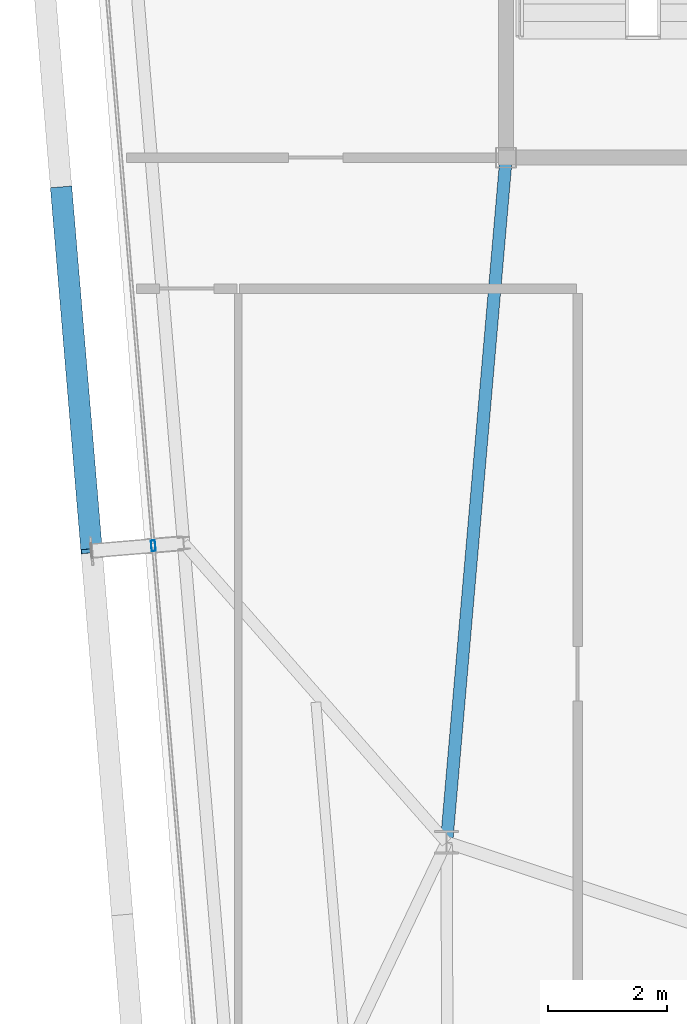
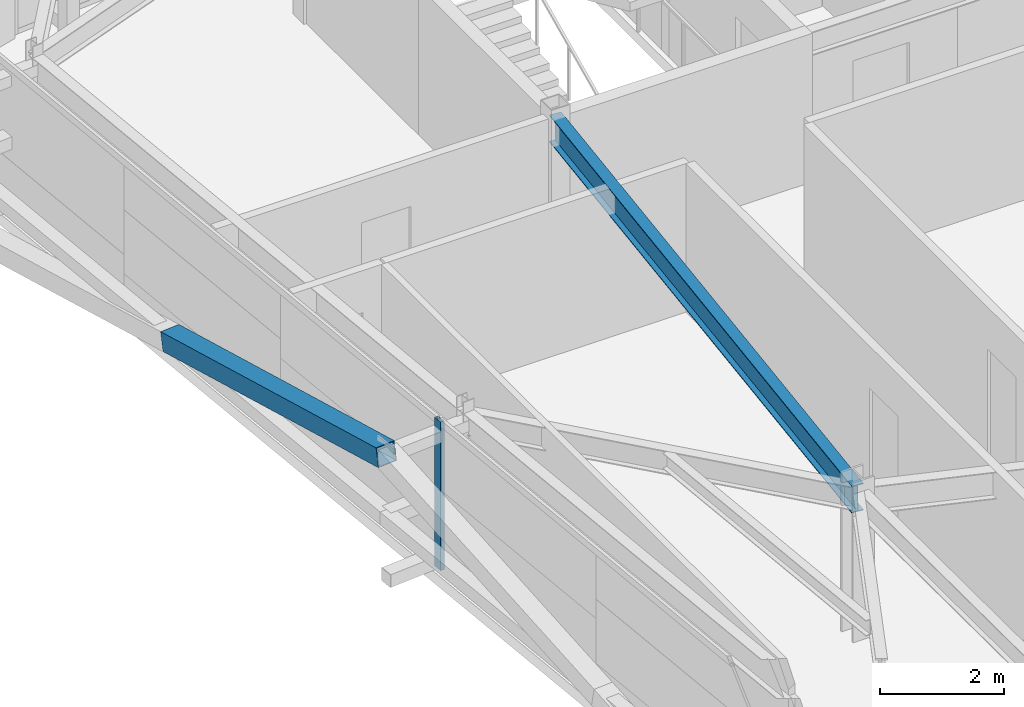
# One storey, part 12 of 37: 2 members, 1 beam, 1 element without a shape of its own.
"""IFC4 building model written with IfcOpenShell, lengths in metres."""

from ifc_helpers import new_model, si_unit, direction, frame, origin, origin_2d, place, context, subcontext, project, spatial, hollow_rectangle, i_section, extrude, source, transform, mapped, material, layer, layer_set, material_profile, profile_set, type_object, element, aggregate, save


model = new_model("IFC4")

# Units and contexts
model_context = context("Model", 3, precision=1e-05, world=origin(), true_north=direction((0.0, 1.0)))
body_context = subcontext(model_context, "Body", "Model", "MODEL_VIEW")
ifc_project = project(units=[si_unit("LENGTHUNIT", "METRE"), si_unit("AREAUNIT", "SQUARE_METRE"), si_unit("VOLUMEUNIT", "CUBIC_METRE"), si_unit("PLANEANGLEUNIT", "RADIAN"), si_unit("MASSUNIT", "GRAM", prefix="KILO")], contexts=[model_context])

# Site, building, storey
site_placement = place(None, origin())
site = spatial("IfcSite", under=ifc_project, at=site_placement, CompositionType="ELEMENT")
building_placement = place(site_placement, origin())
building = spatial("IfcBuilding", under=site, at=building_placement, Name="Taldren Reach Tower", CompositionType="ELEMENT")
storey_placement = place(building_placement, frame((0.0, 0.0, 172.550048828125)))
storey = spatial("IfcBuildingStorey", under=building, at=storey_placement, Name="L52", CompositionType="ELEMENT", Elevation=172.550048828125)

# Beam
ifc_material_1 = material(Name="Steel Gr 350 (350PLUS)", Category="steel")
ifc_material_profile_1 = material_profile(ifc_material_1, i_section(OverallWidth=0.208984375, OverallDepth=0.532958984375, WebThickness=0.01025390625, FlangeThickness=0.015625, at=origin_2d()), Name="530UB92.4")
ifc_profile_set_1 = profile_set([ifc_material_profile_1], Name="Steel Gr 350 (350PLUS)")
beam_type = type_object("IfcBeamType", Name="BM-UB530A", PredefinedType="BEAM", material=ifc_profile_set_1)
shared_shape_1 = source(origin(), body_context, "Body", "SweptSolid", [
    extrude(i_section(OverallWidth=0.208984375, OverallDepth=0.532958984375, WebThickness=0.01025390625, FlangeThickness=0.015625, at=origin_2d()), origin(), (0.0, 0.0, 1.0), 11.54345703125),
])
beam_placement = place(storey_placement, frame((19.0, 24.0, 2.663330078125), z_axis=(-0.086629616365, -0.996240588196, 0.0), x_axis=(0.996240588196, -0.086629616365, 0.0)))
element("IfcBeam", 1, at=beam_placement, inside=storey, type_object=beam_type, Name="Core-spine girder L52-SP09", PredefinedType="BEAM", context=body_context, shape_type="MappedRepresentation", body=[
    mapped(shared_shape_1, transform((0.0, 0.0, 0.0), scale=1.0)),
])

# Member
ifc_material_2 = material(Name="Steel Gr 450 (C450L0)", Category="steel")
ifc_material_profile_2 = material_profile(ifc_material_2, hollow_rectangle(XDim=0.360107421875, YDim=0.360107421875, WallThickness=0.0126953125, at=origin_2d()), Name="360x360x12.7SHS")
ifc_profile_set_2 = profile_set([ifc_material_profile_2], Name="Steel Gr 450 (C450L0)")
member_type_1 = type_object("IfcMemberType", Name="MB-EXO356", PredefinedType="BRACE", material=ifc_profile_set_2)
shared_shape_2 = source(origin(), body_context, "Body", "SweptSolid", [
    extrude(hollow_rectangle(XDim=0.360107421875, YDim=0.360107421875, WallThickness=0.0126953125, at=origin_2d()), origin(), (0.0, 0.0, 1.0), 6.2197265625),
])
member_1_placement = place(storey_placement, frame((11.52783203125, 23.47412109375, 1.43505859375), z_axis=(0.082037206294, -0.977302565702, 0.195319205034), x_axis=(0.996495340012, 0.08364829547, 0.0)))
element("IfcMember", 2, at=member_1_placement, inside=storey, type_object=member_type_1, Name="Exoskeleton Diagrid Brace B4-W2 L52", PredefinedType="BRACE", context=body_context, shape_type="MappedRepresentation", body=[
    mapped(shared_shape_2, transform((0.0, 0.0, 0.0), scale=1.0)),
])

# Curtain wall, member
ifc_material_3 = material(Name="Aluminium and Low-E Glass Unitised System", Category="aluminium")
ifc_layer = layer(ifc_material_3, 0.159912109375)
ifc_layer_set = layer_set([ifc_layer], Name="Aluminium and Low-E Glass Unitised System")
curtain_wall_type = type_object("IfcCurtainWallType", Name="CW-SYS-5", PredefinedType="NOTDEFINED", material=ifc_layer_set)
curtain_wall_placement = place(storey_placement, origin())
curtain_wall = element("IfcCurtainWall", 3, at=curtain_wall_placement, inside=storey, type_object=curtain_wall_type, Name="Unitised curtain wall CW-L52-W", PredefinedType="NOTDEFINED")
ifc_material_4 = material(Name="Anodised Aluminium 6063-T6", Category="aluminium")
ifc_material_profile_3 = material_profile(ifc_material_4, hollow_rectangle(XDim=0.070068359375, YDim=0.179931640625, WallThickness=0.00390625, at=origin_2d()), Name="ALU-180x70x4RHS")
ifc_profile_set_3 = profile_set([ifc_material_profile_3], Name="Anodised Aluminium 6063-T6")
member_type_2 = type_object("IfcMemberType", Name="CW-MUL-180", PredefinedType="MULLION", material=ifc_profile_set_3)
shared_shape_3 = source(origin(), body_context, "Body", "SweptSolid", [
    extrude(hollow_rectangle(XDim=0.070068359375, YDim=0.179931640625, WallThickness=0.00390625, at=origin_2d()), origin(), (0.0, 0.0, 1.0), 2.929931640625),
])
member_2_placement = place(storey_placement, frame((13.074462890625, 17.482421875, 0.0), z_axis=(0.0, 0.0, 1.0), x_axis=(0.996492847789, 0.083677979808, 0.0)))
member_2 = element("IfcMember", 4, at=member_2_placement, type_object=member_type_2, Name="CW-5 mullion 2", PredefinedType="MULLION", context=body_context, shape_type="MappedRepresentation", body=[
    mapped(shared_shape_3, transform((0.0, 0.0, 0.0), scale=1.0)),
])
aggregate(curtain_wall, [member_2])

save(model, "model.ifc")
